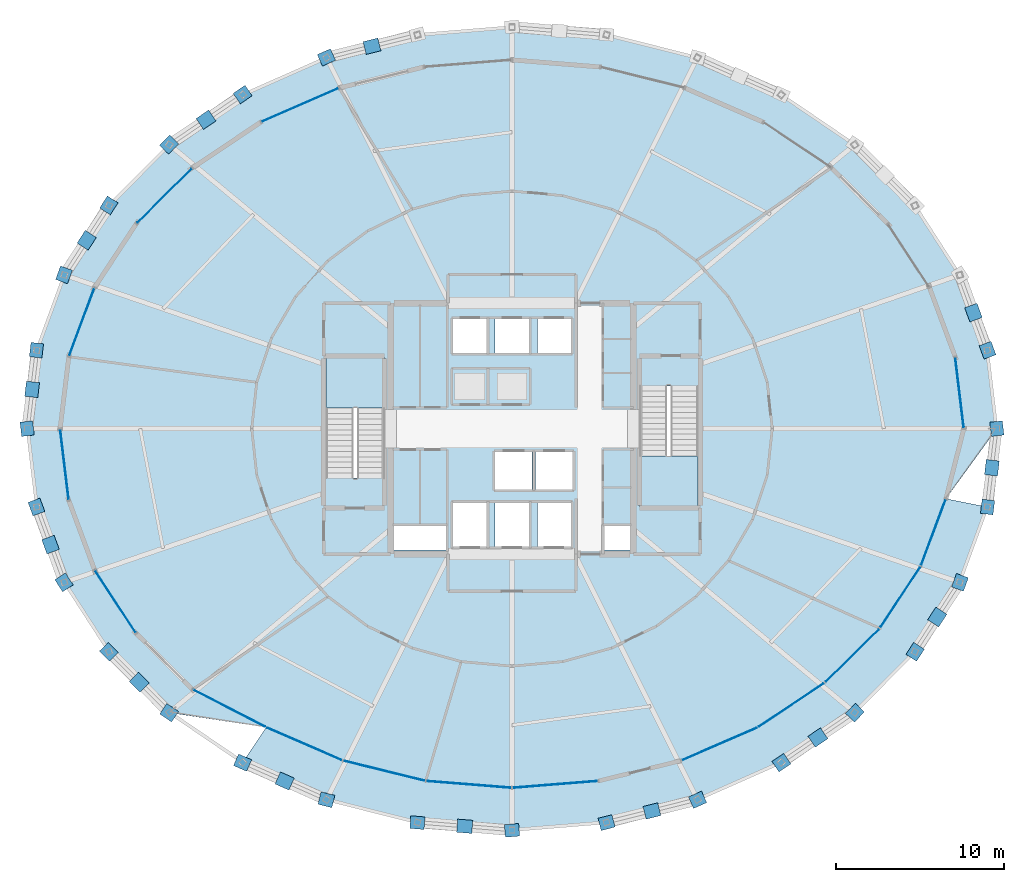
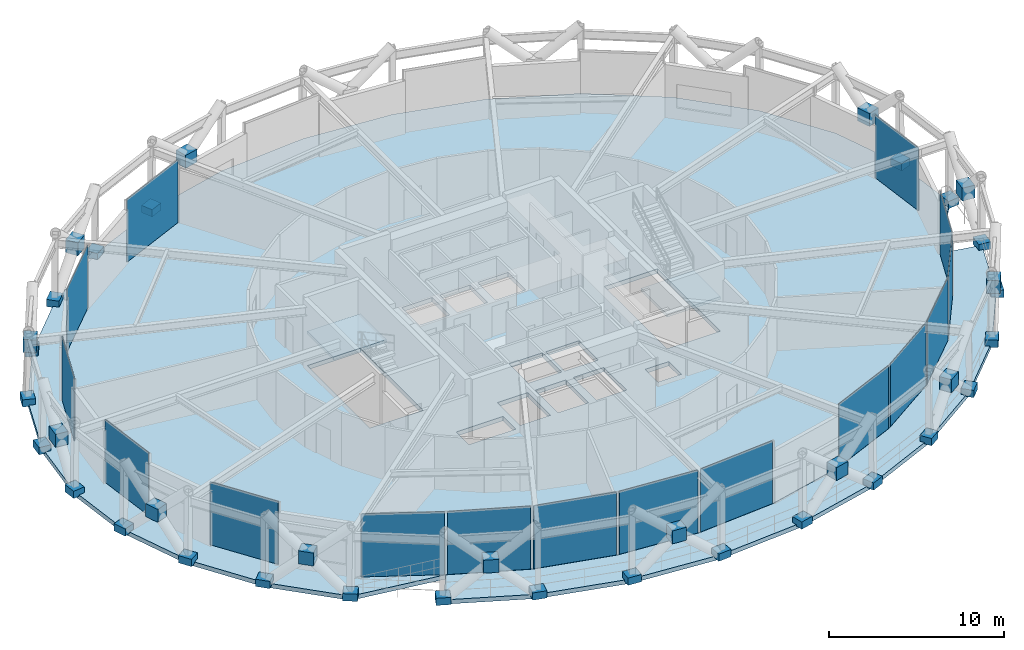
# One storey, part 31 of 39: 53 plates, 4 slabs, 10 elements without a shape of their own.
"""IFC4 building model written with IfcOpenShell, lengths in metres."""

from ifc_helpers import new_model, si_unit, direction, frame, origin, origin_2d, place, context, subcontext, project, spatial, polyline, rectangle, outline, extrude, material, layer, layer_set, type_object, element, aggregate, save


model = new_model("IFC4")

# Units and contexts
model_context = context("Model", 3, precision=1e-05, world=origin(), true_north=direction((0.0, 1.0)))
body_context = subcontext(model_context, "Body", "Model", "MODEL_VIEW")
ifc_project = project(units=[si_unit("LENGTHUNIT", "METRE"), si_unit("AREAUNIT", "SQUARE_METRE"), si_unit("VOLUMEUNIT", "CUBIC_METRE"), si_unit("PLANEANGLEUNIT", "RADIAN"), si_unit("MASSUNIT", "GRAM", prefix="KILO")], contexts=[model_context])

# Site, building, storey
site_placement = place(None, origin())
site = spatial("IfcSite", under=ifc_project, at=site_placement, CompositionType="ELEMENT")
building_placement = place(site_placement, origin())
building = spatial("IfcBuilding", under=site, at=building_placement, Name="Veldorina Hangang Commons", CompositionType="ELEMENT")
storey_placement = place(building_placement, frame((0.0, 0.0, 106.0)))
storey = spatial("IfcBuildingStorey", under=building, at=storey_placement, Name="L27", CompositionType="ELEMENT", Elevation=106.0)

# Curtain wall, plate
ifc_material_1 = material(Name="Glass Acoustic Laminated", Category="glass")
ifc_layer_1 = layer(ifc_material_1, 0.179931640625)
ifc_layer_set_1 = layer_set([ifc_layer_1], Name="Glass Acoustic Laminated")
curtain_wall_type = type_object("IfcCurtainWallType", Name="CW-SYS-SKY", PredefinedType="NOTDEFINED", material=ifc_layer_set_1)
curtain_wall_1_placement = place(storey_placement, origin())
curtain_wall_1 = element("IfcCurtainWall", 1, at=curtain_wall_1_placement, inside=storey, type_object=curtain_wall_type, Name="L27 unitised curtain wall CW-L27-R1", PredefinedType="NOTDEFINED")
ifc_material_2 = material(Name="Glass Low-E Triple IGU", Category="glass")
ifc_layer_2 = layer(ifc_material_2, 0.0400390625)
ifc_layer_set_2 = layer_set([ifc_layer_2], Name="Glass Low-E Triple IGU")
plate_type_1 = type_object("IfcPlateType", Name="CW-PNL-VIS", PredefinedType="CURTAIN_PANEL", material=ifc_layer_set_2)
plate_1_placement = place(storey_placement, frame((58.565185546875, 26.135009765625, 0.014892578125), z_axis=(0.0, 0.0, 1.0), x_axis=(-0.119824948994, 0.992795035039, 0.0)))
plate_1 = element("IfcPlate", 2, at=plate_1_placement, type_object=plate_type_1, Name="CW-L27-R1 facet 1 glazed vision panel", PredefinedType="CURTAIN_PANEL", context=body_context, shape_type="SweptSolid", body=[
    extrude(rectangle(XDim=4.12109375, YDim=0.0400390625, at=origin_2d()), origin(), (0.0, 0.0, 1.0), 4.3701171875),
])
aggregate(curtain_wall_1, [plate_1])

curtain_wall_2_placement = place(storey_placement, origin())
curtain_wall_2 = element("IfcCurtainWall", 3, at=curtain_wall_2_placement, inside=storey, type_object=curtain_wall_type, Name="L27 unitised curtain wall CW-L27-R6", PredefinedType="NOTDEFINED")
plate_2_placement = place(storey_placement, frame((19.41650390625, 43.210693359375, 0.014892578125), z_axis=(0.0, 0.0, 1.0), x_axis=(-0.916600140104, -0.39980518151, 0.0)))
plate_2 = element("IfcPlate", 4, at=plate_2_placement, type_object=plate_type_1, Name="CW-L27-R6 facet 1 glazed vision panel", PredefinedType="CURTAIN_PANEL", context=body_context, shape_type="SweptSolid", body=[
    extrude(rectangle(XDim=4.879150390625, YDim=0.0400390625, at=origin_2d()), origin(), (0.0, 0.0, 1.0), 4.3701171875),
])
aggregate(curtain_wall_2, [plate_2])

curtain_wall_3_placement = place(storey_placement, origin())
curtain_wall_3 = element("IfcCurtainWall", 5, at=curtain_wall_3_placement, inside=storey, type_object=curtain_wall_type, Name="L27 unitised curtain wall CW-L27-R7", PredefinedType="NOTDEFINED")
plate_3_placement = place(storey_placement, frame((11.365478515625, 37.81884765625, 0.014892578125), z_axis=(0.0, 0.0, 1.0), x_axis=(-0.709115555697, -0.705092283796, 0.0)))
plate_3 = element("IfcPlate", 6, at=plate_3_placement, type_object=plate_type_1, Name="CW-L27-R7 facet 1 glazed vision panel", PredefinedType="CURTAIN_PANEL", context=body_context, shape_type="SweptSolid", body=[
    extrude(rectangle(XDim=4.52392578125, YDim=0.0400390625, at=origin_2d()), origin(), (0.0, 0.0, 1.0), 4.3701171875),
])
aggregate(curtain_wall_3, [plate_3])

curtain_wall_4_placement = place(storey_placement, origin())
curtain_wall_4 = element("IfcCurtainWall", 7, at=curtain_wall_4_placement, inside=storey, type_object=curtain_wall_type, Name="L27 unitised curtain wall CW-L27-R8", PredefinedType="NOTDEFINED")
plate_4_placement = place(storey_placement, frame((6.455810546875, 30.3232421875, 0.014892578125), z_axis=(0.0, 0.0, 1.0), x_axis=(-0.348457534124, -0.937324568606, 0.0)))
plate_4 = element("IfcPlate", 8, at=plate_4_placement, type_object=plate_type_1, Name="CW-L27-R8 facet 1 glazed vision panel", PredefinedType="CURTAIN_PANEL", context=body_context, shape_type="SweptSolid", body=[
    extrude(rectangle(XDim=4.200439453125, YDim=0.0400390625, at=origin_2d()), origin(), (0.0, 0.0, 1.0), 4.3701171875),
])
aggregate(curtain_wall_4, [plate_4])

curtain_wall_5_placement = place(storey_placement, origin())
curtain_wall_5 = element("IfcCurtainWall", 9, at=curtain_wall_5_placement, inside=storey, type_object=curtain_wall_type, Name="L27 unitised curtain wall CW-L27-R9", PredefinedType="NOTDEFINED")
plate_5_placement = place(storey_placement, frame((5.434814453125, 21.864990234375, 0.014892578125), z_axis=(0.0, 0.0, 1.0), x_axis=(0.119824948994, -0.992795035039, 0.0)))
plate_5 = element("IfcPlate", 10, at=plate_5_placement, type_object=plate_type_1, Name="CW-L27-R9 facet 1 glazed vision panel", PredefinedType="CURTAIN_PANEL", context=body_context, shape_type="SweptSolid", body=[
    extrude(rectangle(XDim=4.12109375, YDim=0.0400390625, at=origin_2d()), origin(), (0.0, 0.0, 1.0), 4.3701171875),
])
aggregate(curtain_wall_5, [plate_5])

curtain_wall_6_placement = place(storey_placement, origin())
curtain_wall_6 = element("IfcCurtainWall", 11, at=curtain_wall_6_placement, inside=storey, type_object=curtain_wall_type, Name="L27 unitised curtain wall CW-L27-R10", PredefinedType="NOTDEFINED")
plate_6_placement = place(storey_placement, frame((8.458251953125, 13.731689453125, 0.014892578125), z_axis=(0.0, 0.0, 1.0), x_axis=(0.547928278665, -0.836525314285, 0.0)))
plate_6 = element("IfcPlate", 12, at=plate_6_placement, type_object=plate_type_1, Name="CW-L27-R10 facet 1 glazed vision panel", PredefinedType="CURTAIN_PANEL", context=body_context, shape_type="SweptSolid", body=[
    extrude(rectangle(XDim=4.34375, YDim=0.0400390625, at=origin_2d()), origin(), (0.0, 0.0, 1.0), 4.3701171875),
])
aggregate(curtain_wall_6, [plate_6])

# Curtain wall, plates
curtain_wall_7_placement = place(storey_placement, origin())
curtain_wall_7 = element("IfcCurtainWall", 13, at=curtain_wall_7_placement, inside=storey, type_object=curtain_wall_type, Name="L27 unitised curtain wall CW-L27-R11", PredefinedType="NOTDEFINED")
plate_7_placement = place(storey_placement, frame((15.22119140625, 7.39453125, 0.014892578125), z_axis=(0.0, 0.0, 1.0), x_axis=(0.888785276806, -0.458323828458, 0.0)))
plate_7 = element("IfcPlate", 14, at=plate_7_placement, type_object=plate_type_1, Name="CW-L27-R11 facet 1 glazed vision panel", PredefinedType="CURTAIN_PANEL", context=body_context, shape_type="SweptSolid", body=[
    extrude(rectangle(XDim=4.743408203125, YDim=0.0400390625, at=origin_2d()), origin(), (0.0, 0.0, 1.0), 4.3701171875),
])
plate_8_placement = place(storey_placement, frame((19.67919921875, 5.281005859375, 0.014892578125), z_axis=(0.0, 0.0, 1.0), x_axis=(0.917310434777, -0.398172784415, 0.0)))
plate_8 = element("IfcPlate", 15, at=plate_8_placement, type_object=plate_type_1, Name="CW-L27-R11 facet 2 glazed vision panel", PredefinedType="CURTAIN_PANEL", context=body_context, shape_type="SweptSolid", body=[
    extrude(rectangle(XDim=4.769775390625, YDim=0.0400390625, at=origin_2d()), origin(), (0.0, 0.0, 1.0), 4.3701171875),
])
plate_9_placement = place(storey_placement, frame((24.4130859375, 3.688720703125, 0.014892578125), z_axis=(0.0, 0.0, 1.0), x_axis=(0.970971690373, -0.239194432404, 0.0)))
plate_9 = element("IfcPlate", 16, at=plate_9_placement, type_object=plate_type_1, Name="CW-L27-R11 facet 3 glazed vision panel", PredefinedType="CURTAIN_PANEL", context=body_context, shape_type="SweptSolid", body=[
    extrude(rectangle(XDim=4.89404296875, YDim=0.0400390625, at=origin_2d()), origin(), (0.0, 0.0, 1.0), 4.3701171875),
])
plate_10_placement = place(storey_placement, frame((29.438232421875, 2.876708984375, 0.014892578125), z_axis=(0.0, 0.0, 1.0), x_axis=(0.996816560632, -0.079729194461, 0.0)))
plate_10 = element("IfcPlate", 17, at=plate_10_placement, type_object=plate_type_1, Name="CW-L27-R11 facet 4 glazed vision panel", PredefinedType="CURTAIN_PANEL", context=body_context, shape_type="SweptSolid", body=[
    extrude(rectangle(XDim=4.9599609375, YDim=0.0400390625, at=origin_2d()), origin(), (0.0, 0.0, 1.0), 4.3701171875),
])
plate_11_placement = place(storey_placement, frame((34.561767578125, 2.876708984375, 0.014892578125), z_axis=(0.0, 0.0, 1.0), x_axis=(0.996816560632, 0.079729194461, 0.0)))
plate_11 = element("IfcPlate", 18, at=plate_11_placement, type_object=plate_type_1, Name="CW-L27-R11 facet 5 glazed vision panel", PredefinedType="CURTAIN_PANEL", context=body_context, shape_type="SweptSolid", body=[
    extrude(rectangle(XDim=4.9599609375, YDim=0.0400390625, at=origin_2d()), origin(), (0.0, 0.0, 1.0), 4.3701171875),
])
aggregate(curtain_wall_7, [plate_7, plate_8, plate_9, plate_10, plate_11])

curtain_wall_8_placement = place(storey_placement, origin())
curtain_wall_8 = element("IfcCurtainWall", 19, at=curtain_wall_8_placement, inside=storey, type_object=curtain_wall_type, Name="L27 unitised curtain wall CW-L27-R12", PredefinedType="NOTDEFINED")
plate_12_placement = place(storey_placement, frame((44.32080078125, 5.281005859375, 0.014892578125), z_axis=(0.0, 0.0, 1.0), x_axis=(0.917310434777, 0.398172784415, 0.0)))
plate_12 = element("IfcPlate", 20, at=plate_12_placement, type_object=plate_type_1, Name="CW-L27-R12 facet 1 glazed vision panel", PredefinedType="CURTAIN_PANEL", context=body_context, shape_type="SweptSolid", body=[
    extrude(rectangle(XDim=4.769775390625, YDim=0.0400390625, at=origin_2d()), origin(), (0.0, 0.0, 1.0), 4.3701171875),
])
plate_13_placement = place(storey_placement, frame((48.580810546875, 7.592529296875, 0.014892578125), z_axis=(0.0, 0.0, 1.0), x_axis=(0.832118711163, 0.554597557272, 0.0)))
plate_13 = element("IfcPlate", 21, at=plate_13_placement, type_object=plate_type_1, Name="CW-L27-R12 facet 2 glazed vision panel", PredefinedType="CURTAIN_PANEL", context=body_context, shape_type="SweptSolid", body=[
    extrude(rectangle(XDim=4.602783203125, YDim=0.0400390625, at=origin_2d()), origin(), (0.0, 0.0, 1.0), 4.3701171875),
])
plate_14_placement = place(storey_placement, frame((52.20361328125, 10.53466796875, 0.014892578125), z_axis=(0.0, 0.0, 1.0), x_axis=(0.710824026547, 0.7033698908, 0.0)))
plate_14 = element("IfcPlate", 22, at=plate_14_placement, type_object=plate_type_1, Name="CW-L27-R12 facet 3 glazed vision panel", PredefinedType="CURTAIN_PANEL", context=body_context, shape_type="SweptSolid", body=[
    extrude(rectangle(XDim=4.414794921875, YDim=0.0400390625, at=origin_2d()), origin(), (0.0, 0.0, 1.0), 4.3701171875),
])
plate_15_placement = place(storey_placement, frame((55.05029296875, 13.994384765625, 0.014892578125), z_axis=(0.0, 0.0, 1.0), x_axis=(0.549781146482, 0.835308739912, 0.0)))
plate_15 = element("IfcPlate", 23, at=plate_15_placement, type_object=plate_type_1, Name="CW-L27-R12 facet 4 glazed vision panel", PredefinedType="CURTAIN_PANEL", context=body_context, shape_type="SweptSolid", body=[
    extrude(rectangle(XDim=4.234375, YDim=0.0400390625, at=origin_2d()), origin(), (0.0, 0.0, 1.0), 4.3701171875),
])
plate_16_placement = place(storey_placement, frame((57.010986328125, 17.838623046875, 0.014892578125), z_axis=(0.0, 0.0, 1.0), x_axis=(0.349913099735, 0.936782163917, 0.0)))
plate_16 = element("IfcPlate", 24, at=plate_16_placement, type_object=plate_type_1, Name="CW-L27-R12 facet 5 glazed vision panel", PredefinedType="CURTAIN_PANEL", context=body_context, shape_type="SweptSolid", body=[
    extrude(rectangle(XDim=4.091064453125, YDim=0.0400390625, at=origin_2d()), origin(), (0.0, 0.0, 1.0), 4.3701171875),
])
aggregate(curtain_wall_8, [plate_12, plate_13, plate_14, plate_15, plate_16])

# Plates
ifc_material_3 = material(Name="Steel SM460-TMC", Category="steel")
ifc_layer_3 = layer(ifc_material_3, 0.035888671875)
ifc_layer_set_3 = layer_set([ifc_layer_3], Name="Steel SM460-TMC")
plate_type_2 = type_object("IfcPlateType", Name="PL-STAR-36", PredefinedType="USERDEFINED", material=ifc_layer_set_3)
for number, where, z_axis, x_axis, name in (
    (25, (60.782958984375, 24.0, -0.090087890625), (0.0, 0.0, 1.0), (-0.11805735075, 0.993006778393, 0.0), "L27 diagrid star-node gusset plate 00"),
    (26, (60.229736328125, 28.652587890625, -0.090087890625), (0.0, 0.0, 1.0), (-0.343790813529, 0.939046258995, 0.0), "L27 diagrid star-node gusset plate 01"),
):
    element("IfcPlate", number, at=place(storey_placement, frame(where, z_axis=z_axis, x_axis=x_axis)), inside=storey, type_object=plate_type_2, Name=name, ObjectType="GUSSET PLATE", PredefinedType="USERDEFINED", context=body_context, shape_type="SweptSolid", body=[
        extrude(rectangle(XDim=0.85009765625, YDim=0.75, at=origin_2d()), origin(), (0.0, 0.0, 1.0), 0.5),
    ])
for number, where, z_axis, x_axis, name in (
    (27, (59.39306640625, 30.885498046875, 1.951416015625), (0.0, 0.0, 1.0), (-0.343790813529, 0.939046258995, 0.0), "L27 diagrid X-crossing star-node gusset plate 01"),
    (28, (23.6904296875, 46.69873046875, 1.95166015625), (0.0, 0.0, 1.0), (-0.969833736363, -0.24376735592, 0.0), "L27 diagrid X-crossing star-node gusset plate 09"),
):
    element("IfcPlate", number, at=place(storey_placement, frame(where, z_axis=z_axis, x_axis=x_axis)), inside=storey, type_object=plate_type_2, Name=name, ObjectType="GUSSET PLATE", PredefinedType="USERDEFINED", context=body_context, shape_type="SweptSolid", body=[
        extrude(rectangle(XDim=0.89990234375, YDim=0.780029296875, at=origin_2d()), origin(), (0.0, 0.0, 1.0), 0.89990234375),
    ])
for number, where, z_axis, x_axis, name in (
    (29, (20.9853515625, 46.03271484375, -0.090087890625), (0.0, 0.0, 1.0), (-0.914345855411, -0.404934138711, 0.0), "L27 diagrid star-node gusset plate 10"),
    (30, (16.009033203125, 43.8291015625, -0.090087890625), (0.0, 0.0, 1.0), (-0.826943206707, -0.562285454979, 0.0), "L27 diagrid star-node gusset plate 11"),
):
    element("IfcPlate", number, at=place(storey_placement, frame(where, z_axis=z_axis, x_axis=x_axis)), inside=storey, type_object=plate_type_2, Name=name, ObjectType="GUSSET PLATE", PredefinedType="USERDEFINED", context=body_context, shape_type="SweptSolid", body=[
        extrude(rectangle(XDim=0.85009765625, YDim=0.75, at=origin_2d()), origin(), (0.0, 0.0, 1.0), 0.5),
    ])
plate_17_placement = place(storey_placement, frame((13.840087890625, 42.335693359375, 1.95166015625), z_axis=(0.0, 0.0, 1.0), x_axis=(-0.826943206707, -0.562285454979, 0.0)))
element("IfcPlate", 31, at=plate_17_placement, inside=storey, type_object=plate_type_2, Name="L27 diagrid X-crossing star-node gusset plate 11", ObjectType="GUSSET PLATE", PredefinedType="USERDEFINED", context=body_context, shape_type="SweptSolid", body=[
    extrude(rectangle(XDim=0.89990234375, YDim=0.780029296875, at=origin_2d()), origin(), (0.0, 0.0, 1.0), 0.89990234375),
])
for number, where, z_axis, x_axis, name in (
    (32, (11.6474609375, 40.86328125, -0.090087890625), (0.0, 0.0, 1.0), (-0.703717180947, -0.710480210308, 0.0), "L27 diagrid star-node gusset plate 12"),
    (33, (8.06787109375, 37.249267578125, -0.090087890625), (0.0, 0.0, 1.0), (-0.542104257801, -0.840311236194, 0.0), "L27 diagrid star-node gusset plate 13"),
):
    element("IfcPlate", number, at=place(storey_placement, frame(where, z_axis=z_axis, x_axis=x_axis)), inside=storey, type_object=plate_type_2, Name=name, ObjectType="GUSSET PLATE", PredefinedType="USERDEFINED", context=body_context, shape_type="SweptSolid", body=[
        extrude(rectangle(XDim=0.85009765625, YDim=0.75, at=origin_2d()), origin(), (0.0, 0.0, 1.0), 0.5),
    ])
plate_18_placement = place(storey_placement, frame((6.754638671875, 35.181396484375, 1.951416015625), z_axis=(0.0, 0.0, 1.0), x_axis=(-0.542104257801, -0.840311236194, 0.0)))
element("IfcPlate", 34, at=plate_18_placement, inside=storey, type_object=plate_type_2, Name="L27 diagrid X-crossing star-node gusset plate 13", ObjectType="GUSSET PLATE", PredefinedType="USERDEFINED", context=body_context, shape_type="SweptSolid", body=[
    extrude(rectangle(XDim=0.89990234375, YDim=0.780029296875, at=origin_2d()), origin(), (0.0, 0.0, 1.0), 0.89990234375),
])
for number, where, z_axis, x_axis, name in (
    (35, (5.408203125, 33.126220703125, -0.090087890625), (0.0, 0.0, 1.0), (-0.343790813529, -0.939046258995, 0.0), "L27 diagrid star-node gusset plate 14"),
    (36, (3.770263671875, 28.652587890625, -0.090087890625), (0.0, 0.0, 1.0), (-0.11805735075, -0.993006778393, 0.0), "L27 diagrid star-node gusset plate 15"),
):
    element("IfcPlate", number, at=place(storey_placement, frame(where, z_axis=z_axis, x_axis=x_axis)), inside=storey, type_object=plate_type_2, Name=name, ObjectType="GUSSET PLATE", PredefinedType="USERDEFINED", context=body_context, shape_type="SweptSolid", body=[
        extrude(rectangle(XDim=0.85009765625, YDim=0.75, at=origin_2d()), origin(), (0.0, 0.0, 1.0), 0.5),
    ])
plate_19_placement = place(storey_placement, frame((3.512451171875, 26.324951171875, 1.951416015625), z_axis=(0.0, 0.0, 1.0), x_axis=(-0.11805735075, -0.993006778393, 0.0)))
element("IfcPlate", 37, at=plate_19_placement, inside=storey, type_object=plate_type_2, Name="L27 diagrid X-crossing star-node gusset plate 15", ObjectType="GUSSET PLATE", PredefinedType="USERDEFINED", context=body_context, shape_type="SweptSolid", body=[
    extrude(rectangle(XDim=0.89990234375, YDim=0.780029296875, at=origin_2d()), origin(), (0.0, 0.0, 1.0), 0.89990234375),
])
for number, where, z_axis, x_axis, name in (
    (38, (3.217041015625, 24.0, -0.090087890625), (0.0, 0.0, 1.0), (0.11805735075, -0.993006778393, 0.0), "L27 diagrid star-node gusset plate 16"),
    (39, (3.770263671875, 19.347412109375, -0.090087890625), (0.0, 0.0, 1.0), (0.343790813529, -0.939046258995, 0.0), "L27 diagrid star-node gusset plate 17"),
):
    element("IfcPlate", number, at=place(storey_placement, frame(where, z_axis=z_axis, x_axis=x_axis)), inside=storey, type_object=plate_type_2, Name=name, ObjectType="GUSSET PLATE", PredefinedType="USERDEFINED", context=body_context, shape_type="SweptSolid", body=[
        extrude(rectangle(XDim=0.85009765625, YDim=0.75, at=origin_2d()), origin(), (0.0, 0.0, 1.0), 0.5),
    ])
plate_20_placement = place(storey_placement, frame((4.60693359375, 17.114501953125, 1.951416015625), z_axis=(0.0, 0.0, 1.0), x_axis=(0.343790813529, -0.939046258995, 0.0)))
element("IfcPlate", 40, at=plate_20_placement, inside=storey, type_object=plate_type_2, Name="L27 diagrid X-crossing star-node gusset plate 17", ObjectType="GUSSET PLATE", PredefinedType="USERDEFINED", context=body_context, shape_type="SweptSolid", body=[
    extrude(rectangle(XDim=0.89990234375, YDim=0.780029296875, at=origin_2d()), origin(), (0.0, 0.0, 1.0), 0.89990234375),
])
for number, where, z_axis, x_axis, name in (
    (41, (5.408203125, 14.873779296875, -0.090087890625), (0.0, 0.0, 1.0), (0.542104257801, -0.840311236194, 0.0), "L27 diagrid star-node gusset plate 18"),
    (42, (8.06787109375, 10.750732421875, -0.090087890625), (0.0, 0.0, 1.0), (0.703717180947, -0.710480210308, 0.0), "L27 diagrid star-node gusset plate 19"),
):
    element("IfcPlate", number, at=place(storey_placement, frame(where, z_axis=z_axis, x_axis=x_axis)), inside=storey, type_object=plate_type_2, Name=name, ObjectType="GUSSET PLATE", PredefinedType="USERDEFINED", context=body_context, shape_type="SweptSolid", body=[
        extrude(rectangle(XDim=0.85009765625, YDim=0.75, at=origin_2d()), origin(), (0.0, 0.0, 1.0), 0.5),
    ])
plate_21_placement = place(storey_placement, frame((9.8720703125, 8.9521484375, 1.95166015625), z_axis=(0.0, 0.0, 1.0), x_axis=(0.703717180947, -0.710480210308, 0.0)))
element("IfcPlate", 43, at=plate_21_placement, inside=storey, type_object=plate_type_2, Name="L27 diagrid X-crossing star-node gusset plate 19", ObjectType="GUSSET PLATE", PredefinedType="USERDEFINED", context=body_context, shape_type="SweptSolid", body=[
    extrude(rectangle(XDim=0.89990234375, YDim=0.780029296875, at=origin_2d()), origin(), (0.0, 0.0, 1.0), 0.89990234375),
])
for number, where, z_axis, x_axis, name in (
    (44, (11.6474609375, 7.13671875, -0.090087890625), (0.0, 0.0, 1.0), (0.826943206707, -0.562285454979, 0.0), "L27 diagrid star-node gusset plate 20"),
    (45, (16.009033203125, 4.1708984375, -0.090087890625), (0.0, 0.0, 1.0), (0.914345855411, -0.404934138711, 0.0), "L27 diagrid star-node gusset plate 21"),
):
    element("IfcPlate", number, at=place(storey_placement, frame(where, z_axis=z_axis, x_axis=x_axis)), inside=storey, type_object=plate_type_2, Name=name, ObjectType="GUSSET PLATE", PredefinedType="USERDEFINED", context=body_context, shape_type="SweptSolid", body=[
        extrude(rectangle(XDim=0.85009765625, YDim=0.75, at=origin_2d()), origin(), (0.0, 0.0, 1.0), 0.5),
    ])
plate_22_placement = place(storey_placement, frame((18.506103515625, 3.080810546875, 1.95166015625), z_axis=(0.0, 0.0, 1.0), x_axis=(0.914345855411, -0.404934138711, 0.0)))
element("IfcPlate", 46, at=plate_22_placement, inside=storey, type_object=plate_type_2, Name="L27 diagrid X-crossing star-node gusset plate 21", ObjectType="GUSSET PLATE", PredefinedType="USERDEFINED", context=body_context, shape_type="SweptSolid", body=[
    extrude(rectangle(XDim=0.89990234375, YDim=0.780029296875, at=origin_2d()), origin(), (0.0, 0.0, 1.0), 0.89990234375),
])
for number, where, z_axis, x_axis, name in (
    (47, (20.9853515625, 1.96728515625, -0.090087890625), (0.0, 0.0, 1.0), (0.969833736363, -0.24376735592, 0.0), "L27 diagrid star-node gusset plate 22"),
    (48, (26.384765625, 0.610107421875, -0.090087890625), (0.0, 0.0, 1.0), (0.996687254251, -0.081329682245, 0.0), "L27 diagrid star-node gusset plate 23"),
):
    element("IfcPlate", number, at=place(storey_placement, frame(where, z_axis=z_axis, x_axis=x_axis)), inside=storey, type_object=plate_type_2, Name=name, ObjectType="GUSSET PLATE", PredefinedType="USERDEFINED", context=body_context, shape_type="SweptSolid", body=[
        extrude(rectangle(XDim=0.85009765625, YDim=0.75, at=origin_2d()), origin(), (0.0, 0.0, 1.0), 0.5),
    ])
plate_23_placement = place(storey_placement, frame((29.194091796875, 0.39404296875, 1.95166015625), z_axis=(0.0, 0.0, 1.0), x_axis=(0.996687254251, -0.081329682245, 0.0)))
element("IfcPlate", 49, at=plate_23_placement, inside=storey, type_object=plate_type_2, Name="L27 diagrid X-crossing star-node gusset plate 23", ObjectType="GUSSET PLATE", PredefinedType="USERDEFINED", context=body_context, shape_type="SweptSolid", body=[
    extrude(rectangle(XDim=0.89990234375, YDim=0.780029296875, at=origin_2d()), origin(), (0.0, 0.0, 1.0), 0.89990234375),
])
for number, where, z_axis, x_axis, name in (
    (50, (32.0, 0.15185546875, -0.090087890625), (0.0, 0.0, 1.0), (0.996687254251, 0.081329682245, 0.0), "L27 diagrid star-node gusset plate 24"),
    (51, (37.615234375, 0.610107421875, -0.090087890625), (0.0, 0.0, 1.0), (0.969833736363, 0.24376735592, 0.0), "L27 diagrid star-node gusset plate 25"),
):
    element("IfcPlate", number, at=place(storey_placement, frame(where, z_axis=z_axis, x_axis=x_axis)), inside=storey, type_object=plate_type_2, Name=name, ObjectType="GUSSET PLATE", PredefinedType="USERDEFINED", context=body_context, shape_type="SweptSolid", body=[
        extrude(rectangle(XDim=0.85009765625, YDim=0.75, at=origin_2d()), origin(), (0.0, 0.0, 1.0), 0.5),
    ])
plate_24_placement = place(storey_placement, frame((40.3095703125, 1.30126953125, 1.95166015625), z_axis=(0.0, 0.0, 1.0), x_axis=(0.969833736363, 0.24376735592, 0.0)))
element("IfcPlate", 52, at=plate_24_placement, inside=storey, type_object=plate_type_2, Name="L27 diagrid X-crossing star-node gusset plate 25", ObjectType="GUSSET PLATE", PredefinedType="USERDEFINED", context=body_context, shape_type="SweptSolid", body=[
    extrude(rectangle(XDim=0.89990234375, YDim=0.780029296875, at=origin_2d()), origin(), (0.0, 0.0, 1.0), 0.89990234375),
])
for number, where, z_axis, x_axis, name in (
    (53, (43.0146484375, 1.96728515625, -0.090087890625), (0.0, 0.0, 1.0), (0.914345855411, 0.404934138711, 0.0), "L27 diagrid star-node gusset plate 26"),
    (54, (47.990966796875, 4.1708984375, -0.090087890625), (0.0, 0.0, 1.0), (0.826943206707, 0.562285454979, 0.0), "L27 diagrid star-node gusset plate 27"),
):
    element("IfcPlate", number, at=place(storey_placement, frame(where, z_axis=z_axis, x_axis=x_axis)), inside=storey, type_object=plate_type_2, Name=name, ObjectType="GUSSET PLATE", PredefinedType="USERDEFINED", context=body_context, shape_type="SweptSolid", body=[
        extrude(rectangle(XDim=0.85009765625, YDim=0.75, at=origin_2d()), origin(), (0.0, 0.0, 1.0), 0.5),
    ])
plate_25_placement = place(storey_placement, frame((50.159912109375, 5.664306640625, 1.95166015625), z_axis=(0.0, 0.0, 1.0), x_axis=(0.826943206707, 0.562285454979, 0.0)))
element("IfcPlate", 55, at=plate_25_placement, inside=storey, type_object=plate_type_2, Name="L27 diagrid X-crossing star-node gusset plate 27", ObjectType="GUSSET PLATE", PredefinedType="USERDEFINED", context=body_context, shape_type="SweptSolid", body=[
    extrude(rectangle(XDim=0.89990234375, YDim=0.780029296875, at=origin_2d()), origin(), (0.0, 0.0, 1.0), 0.89990234375),
])
for number, where, z_axis, x_axis, name in (
    (56, (52.3525390625, 7.13671875, -0.090087890625), (0.0, 0.0, 1.0), (0.703717180947, 0.710480210308, 0.0), "L27 diagrid star-node gusset plate 28"),
    (57, (55.93212890625, 10.750732421875, -0.090087890625), (0.0, 0.0, 1.0), (0.542104257801, 0.840311236194, 0.0), "L27 diagrid star-node gusset plate 29"),
):
    element("IfcPlate", number, at=place(storey_placement, frame(where, z_axis=z_axis, x_axis=x_axis)), inside=storey, type_object=plate_type_2, Name=name, ObjectType="GUSSET PLATE", PredefinedType="USERDEFINED", context=body_context, shape_type="SweptSolid", body=[
        extrude(rectangle(XDim=0.85009765625, YDim=0.75, at=origin_2d()), origin(), (0.0, 0.0, 1.0), 0.5),
    ])
plate_26_placement = place(storey_placement, frame((57.245361328125, 12.818603515625, 1.951416015625), z_axis=(0.0, 0.0, 1.0), x_axis=(0.542104257801, 0.840311236194, 0.0)))
element("IfcPlate", 58, at=plate_26_placement, inside=storey, type_object=plate_type_2, Name="L27 diagrid X-crossing star-node gusset plate 29", ObjectType="GUSSET PLATE", PredefinedType="USERDEFINED", context=body_context, shape_type="SweptSolid", body=[
    extrude(rectangle(XDim=0.89990234375, YDim=0.780029296875, at=origin_2d()), origin(), (0.0, 0.0, 1.0), 0.89990234375),
])
for number, where, z_axis, x_axis, name in (
    (59, (58.591796875, 14.873779296875, -0.090087890625), (0.0, 0.0, 1.0), (0.343790813529, 0.939046258995, 0.0), "L27 diagrid star-node gusset plate 30"),
    (60, (60.229736328125, 19.347412109375, -0.090087890625), (0.0, 0.0, 1.0), (0.11805735075, 0.993006778393, 0.0), "L27 diagrid star-node gusset plate 31"),
):
    element("IfcPlate", number, at=place(storey_placement, frame(where, z_axis=z_axis, x_axis=x_axis)), inside=storey, type_object=plate_type_2, Name=name, ObjectType="GUSSET PLATE", PredefinedType="USERDEFINED", context=body_context, shape_type="SweptSolid", body=[
        extrude(rectangle(XDim=0.85009765625, YDim=0.75, at=origin_2d()), origin(), (0.0, 0.0, 1.0), 0.5),
    ])
plate_27_placement = place(storey_placement, frame((60.487548828125, 21.675048828125, 1.951416015625), z_axis=(0.0, 0.0, 1.0), x_axis=(0.11805735075, 0.993006778393, 0.0)))
element("IfcPlate", 61, at=plate_27_placement, inside=storey, type_object=plate_type_2, Name="L27 diagrid X-crossing star-node gusset plate 31", ObjectType="GUSSET PLATE", PredefinedType="USERDEFINED", context=body_context, shape_type="SweptSolid", body=[
    extrude(rectangle(XDim=0.89990234375, YDim=0.780029296875, at=origin_2d()), origin(), (0.0, 0.0, 1.0), 0.89990234375),
])

# Slabs
ifc_material_4 = material(Name="Concrete C45/55", Category="concrete")
ifc_layer_4 = layer(ifc_material_4, 0.300048828125)
ifc_layer_set_4 = layer_set([ifc_layer_4], Name="Concrete C45/55")
slab_type_1 = type_object("IfcSlabType", Name="SL-FLR-300", PredefinedType="FLOOR", material=ifc_layer_set_4)
slab_1_placement = place(storey_placement, frame((0.0, 0.0, -0.300048828125)))
element("IfcSlab", 62, at=slab_1_placement, inside=storey, type_object=slab_type_1, Name="L27 tower structural floor slab", PredefinedType="FLOOR", context=body_context, shape_type="SweptSolid", body=[
    extrude(outline(polyline([(60.782958984375, 24.0), (60.229736328125, 28.652587890625), (58.591796875, 33.126220703125), (55.93212890625, 37.249267578125), (52.3525390625, 40.86328125), (47.990966796875, 43.8291015625), (43.0146484375, 46.03271484375), (37.615234375, 47.389892578125), (32.0, 47.84814453125), (26.384765625, 47.389892578125), (20.9853515625, 46.03271484375), (16.009033203125, 43.8291015625), (11.6474609375, 40.86328125), (8.06787109375, 37.249267578125), (5.408203125, 33.126220703125), (3.770263671875, 28.652587890625), (3.217041015625, 24.0), (3.770263671875, 19.347412109375), (5.408203125, 14.873779296875), (8.06787109375, 10.750732421875), (11.6474609375, 7.13671875), (17.4091796875, 6.266357421875), (21.94970703125, 4.29541015625), (26.87646484375, 3.081787109375), (32.0, 2.671875), (37.12353515625, 3.081787109375), (42.05029296875, 4.29541015625), (46.5908203125, 6.266357421875), (50.57080078125, 8.918701171875), (53.8369140625, 12.150634765625), (56.263916015625, 15.838134765625), (57.75830078125, 19.839111328125), (60.782958984375, 24.0)]), holes=[polyline([(20.949951171875, 21.05810546875), (20.949951171875, 28.199951171875), (24.449951171875, 28.199951171875), (24.449951171875, 21.05810546875), (20.949951171875, 21.05810546875)]), polyline([(43.050048828125, 26.5419921875), (43.050048828125, 19.39990234375), (39.550048828125, 19.39990234375), (39.550048828125, 26.5419921875), (43.050048828125, 26.5419921875)]), polyline([(28.5, 30.5), (30.5, 30.5), (30.5, 28.5), (28.5, 28.5), (28.5, 30.5)]), polyline([(31.0, 30.5), (33.0, 30.5), (33.0, 28.5), (31.0, 28.5), (31.0, 30.5)]), polyline([(33.5, 30.5), (35.5, 30.5), (35.5, 28.5), (33.5, 28.5), (33.5, 30.5)]), polyline([(31.0, 22.60009765625), (33.199951171875, 22.60009765625), (33.199951171875, 20.39990234375), (31.0, 20.39990234375), (31.0, 22.60009765625)]), polyline([(33.39990234375, 22.60009765625), (35.60009765625, 22.60009765625), (35.60009765625, 20.39990234375), (33.39990234375, 20.39990234375), (33.39990234375, 22.60009765625)]), polyline([(28.5, 19.60009765625), (30.5, 19.60009765625), (30.5, 17.0), (28.5, 17.0), (28.5, 19.60009765625)]), polyline([(31.0, 19.60009765625), (33.0, 19.60009765625), (33.0, 17.0), (31.0, 17.0), (31.0, 19.60009765625)]), polyline([(33.5, 19.60009765625), (35.5, 19.60009765625), (35.5, 17.0), (33.5, 17.0), (33.5, 19.60009765625)]), polyline([(25.0, 18.25), (28.10009765625, 18.25), (28.10009765625, 16.800048828125), (25.0, 16.800048828125), (25.0, 18.25)]), polyline([(37.449951171875, 18.25), (39.0, 18.25), (39.0, 16.800048828125), (37.449951171875, 16.800048828125), (37.449951171875, 18.25)])]), origin(), (0.0, 0.0, 1.0), 0.300048828125),
])
slab_2_placement = place(storey_placement, frame((0.0, 0.0, -0.300048828125)))
element("IfcSlab", 63, at=slab_2_placement, inside=storey, type_object=slab_type_1, Name="L27 sky-garden loggia outdoor slab", PredefinedType="FLOOR", context=body_context, shape_type="SweptSolid", body=[
    extrude(outline(polyline([(60.229736328125, 19.347412109375), (58.591796875, 14.873779296875), (55.93212890625, 10.750732421875), (52.3525390625, 7.13671875), (47.990966796875, 4.1708984375), (43.0146484375, 1.96728515625), (37.615234375, 0.610107421875), (32.0, 0.15185546875), (26.384765625, 0.610107421875), (20.9853515625, 1.96728515625), (16.009033203125, 4.1708984375), (17.39990234375, 6.25244140625), (17.40478515625, 6.251708984375), (21.943603515625, 4.281494140625), (21.94482421875, 4.28125), (21.946044921875, 4.28076171875), (26.872802734375, 3.067138671875), (26.8740234375, 3.06689453125), (26.875244140625, 3.066650390625), (31.998779296875, 2.656982421875), (32.0, 2.656982421875), (32.001220703125, 2.656982421875), (37.124755859375, 3.066650390625), (37.1259765625, 3.06689453125), (37.127197265625, 3.067138671875), (42.053955078125, 4.28076171875), (42.05517578125, 4.28125), (42.056396484375, 4.281494140625), (46.596923828125, 6.25244140625), (46.59814453125, 6.253173828125), (46.59912109375, 6.25390625), (50.5791015625, 8.90625), (50.580078125, 8.9072265625), (50.581298828125, 8.908203125), (53.847412109375, 12.139892578125), (53.848388671875, 12.14111328125), (53.849365234375, 12.142578125), (56.2763671875, 15.829833984375), (56.277099609375, 15.831298828125), (56.27783203125, 15.8330078125), (57.771484375, 19.831787109375), (57.7744140625, 19.8359375), (60.229736328125, 19.347412109375)])), origin(), (0.0, 0.0, 1.0), 0.300048828125),
])

# Stair, slab
ifc_material_5 = material(Name="Concrete C40/50", Category="concrete")
stair_type = type_object("IfcStairType", Name="STR-DOG-1650-28R", PredefinedType="HALF_TURN_STAIR", material=ifc_material_5)
stair_1_placement = place(storey_placement, origin())
stair_1 = element("IfcStair", 64, at=stair_1_placement, inside=storey, type_object=stair_type, Name="L27 Exit stair ST-1", PredefinedType="HALF_TURN_STAIR")
ifc_layer_5 = layer(ifc_material_5, 0.199951171875)
ifc_layer_set_5 = layer_set([ifc_layer_5], Name="Concrete C40/50")
slab_type_2 = type_object("IfcSlabType", Name="SL-LND-200", PredefinedType="LANDING", material=ifc_layer_set_5)
slab_3_placement = place(storey_placement, frame((0.0, 0.0, 2.199951171875)))
slab_3 = element("IfcSlab", 65, at=slab_3_placement, type_object=slab_type_2, Name="ST-1 landing 1", PredefinedType="LANDING", context=body_context, shape_type="SweptSolid", body=[
    extrude(outline(polyline([(24.449951171875, 25.2099609375), (24.449951171875, 28.199951171875), (20.949951171875, 28.199951171875), (20.949951171875, 25.2099609375), (24.449951171875, 25.2099609375)])), origin(), (0.0, 0.0, 1.0), 0.199951171875),
])
aggregate(stair_1, [slab_3])

stair_2_placement = place(storey_placement, origin())
stair_2 = element("IfcStair", 66, at=stair_2_placement, inside=storey, type_object=stair_type, Name="L27 Exit stair ST-2", PredefinedType="HALF_TURN_STAIR")
slab_4_placement = place(storey_placement, frame((0.0, 0.0, 2.199951171875)))
slab_4 = element("IfcSlab", 67, at=slab_4_placement, type_object=slab_type_2, Name="ST-2 landing 1", PredefinedType="LANDING", context=body_context, shape_type="SweptSolid", body=[
    extrude(outline(polyline([(39.550048828125, 22.389892578125), (39.550048828125, 19.39990234375), (43.050048828125, 19.39990234375), (43.050048828125, 22.389892578125), (39.550048828125, 22.389892578125)])), origin(), (0.0, 0.0, 1.0), 0.199951171875),
])
aggregate(stair_2, [slab_4])

save(model, "model.ifc")
